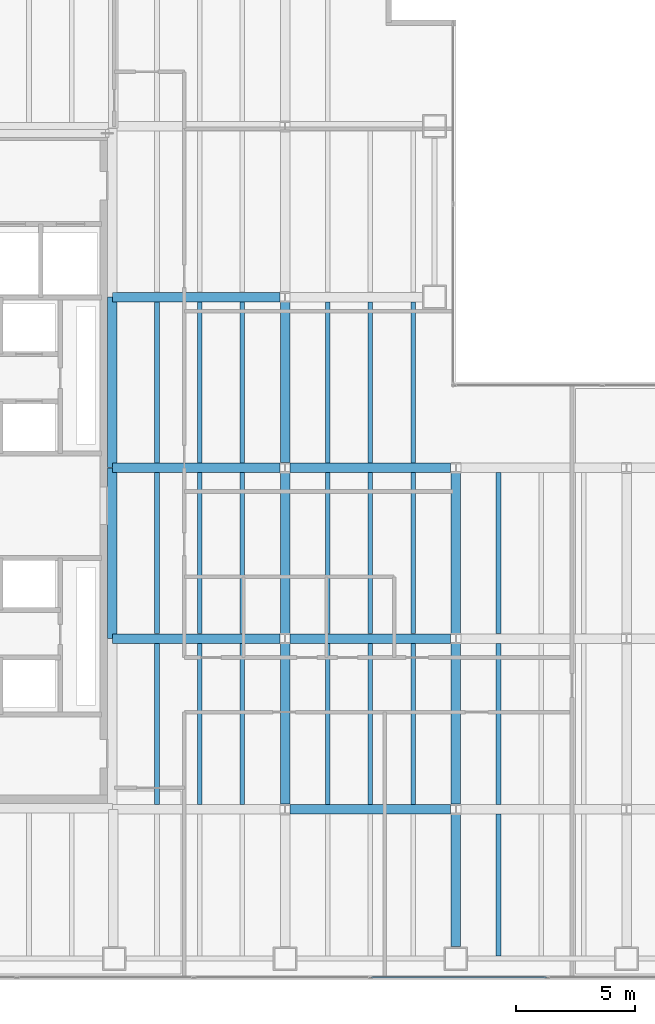
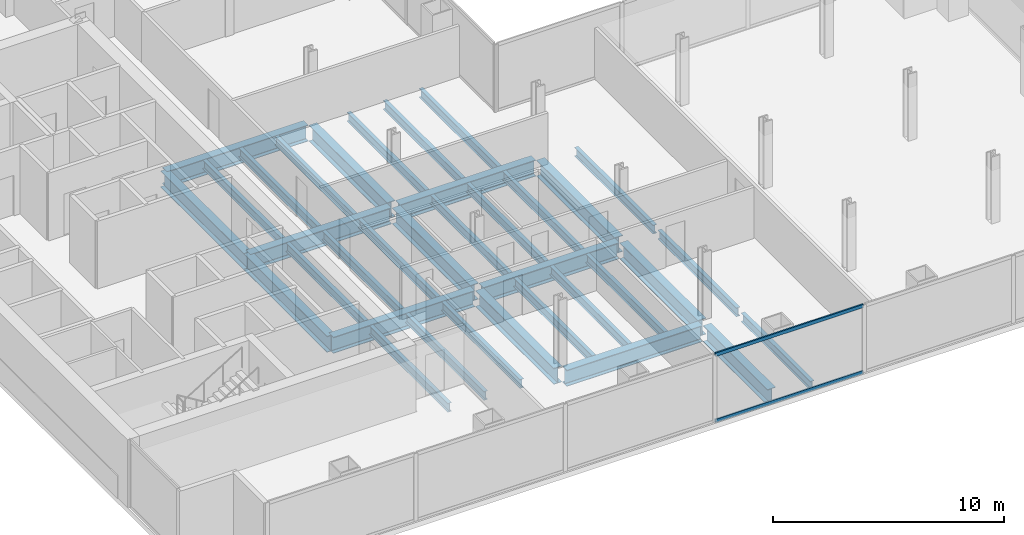
# One storey, part 5 of 25: 35 beams, 2 members, 1 element without a shape of its own.
"""IFC4 building model written with IfcOpenShell, lengths in metres."""

from ifc_helpers import new_model, si_unit, direction, frame, origin, origin_2d, place, context, subcontext, project, spatial, hollow_rectangle, i_section, extrude, material, material_profile, profile_set, type_object, element, aggregate, save


model = new_model("IFC4")

# Units and contexts
model_context = context("Model", 3, precision=1e-05, world=origin(), true_north=direction((0.0, 1.0)))
body_context = subcontext(model_context, "Body", "Model", "MODEL_VIEW")
ifc_project = project(units=[si_unit("LENGTHUNIT", "METRE"), si_unit("AREAUNIT", "SQUARE_METRE"), si_unit("VOLUMEUNIT", "CUBIC_METRE"), si_unit("PLANEANGLEUNIT", "RADIAN"), si_unit("MASSUNIT", "GRAM", prefix="KILO")], contexts=[model_context])

# Site, building, storey
site_placement = place(None, origin())
site = spatial("IfcSite", under=ifc_project, at=site_placement, CompositionType="ELEMENT")
building_placement = place(site_placement, origin())
building = spatial("IfcBuilding", under=site, at=building_placement, Name="Cobrela Telecom Tower", CompositionType="ELEMENT")
storey_placement = place(building_placement, frame((0.0, 0.0, 61.949951171875)))
storey = spatial("IfcBuildingStorey", under=building, at=storey_placement, Name="L15", CompositionType="ELEMENT", Elevation=61.949951171875)

# Beams
ifc_material_1 = material(Name="Steel ASTM A992 Grade 50", Category="steel")
ifc_material_profile_1 = material_profile(ifc_material_1, i_section(OverallWidth=0.39892578125, OverallDepth=0.85595703125, WebThickness=0.018310546875, FlangeThickness=0.029296875, FilletRadius=0.02001953125, at=origin_2d()), Name="W33X201")
ifc_profile_set_1 = profile_set([ifc_material_profile_1], Name="Steel ASTM A992 Grade 50")
beam_type_1 = type_object("IfcBeamType", Name="BM-GIRD-03", PredefinedType="USERDEFINED", material=ifc_profile_set_1)
beam_1_placement = place(storey_placement, frame((21.81591796875, 7.199951171875, -0.7080078125), z_axis=(1.0, 0.0, 0.0), x_axis=(0.0, 1.0, 0.0)))
element("IfcBeam", 1, at=beam_1_placement, inside=storey, type_object=beam_type_1, Name="L15 Primary Girder X09", ObjectType="GIRDER", PredefinedType="USERDEFINED", context=body_context, shape_type="SweptSolid", body=[
    extrude(i_section(OverallWidth=0.39892578125, OverallDepth=0.85595703125, WebThickness=0.018310546875, FlangeThickness=0.029296875, FilletRadius=0.02001953125, at=origin_2d()), origin(), (0.0, 0.0, 1.0), 6.76806640625),
])
beam_2_placement = place(storey_placement, frame((14.324951171875, 14.39990234375, -0.7080078125), z_axis=(1.0, 0.0, 0.0), x_axis=(0.0, 1.0, 0.0)))
element("IfcBeam", 2, at=beam_2_placement, inside=storey, type_object=beam_type_1, Name="L15 Primary Girder X13", ObjectType="GIRDER", PredefinedType="USERDEFINED", context=body_context, shape_type="SweptSolid", body=[
    extrude(i_section(OverallWidth=0.39892578125, OverallDepth=0.85595703125, WebThickness=0.018310546875, FlangeThickness=0.029296875, FilletRadius=0.02001953125, at=origin_2d()), origin(), (0.0, 0.0, 1.0), 7.05908203125),
])
beam_3_placement = place(storey_placement, frame((21.81591796875, 14.39990234375, -0.7080078125), z_axis=(1.0, 0.0, 0.0), x_axis=(0.0, 1.0, 0.0)))
element("IfcBeam", 3, at=beam_3_placement, inside=storey, type_object=beam_type_1, Name="L15 Primary Girder X14", ObjectType="GIRDER", PredefinedType="USERDEFINED", context=body_context, shape_type="SweptSolid", body=[
    extrude(i_section(OverallWidth=0.39892578125, OverallDepth=0.85595703125, WebThickness=0.018310546875, FlangeThickness=0.029296875, FilletRadius=0.02001953125, at=origin_2d()), origin(), (0.0, 0.0, 1.0), 6.76806640625),
])
beam_4_placement = place(storey_placement, frame((14.324951171875, 21.60009765625, -0.7080078125), z_axis=(1.0, 0.0, 0.0), x_axis=(0.0, 1.0, 0.0)))
element("IfcBeam", 4, at=beam_4_placement, inside=storey, type_object=beam_type_1, Name="L15 Primary Girder X18", ObjectType="GIRDER", PredefinedType="USERDEFINED", context=body_context, shape_type="SweptSolid", body=[
    extrude(i_section(OverallWidth=0.39892578125, OverallDepth=0.85595703125, WebThickness=0.018310546875, FlangeThickness=0.029296875, FilletRadius=0.02001953125, at=origin_2d()), origin(), (0.0, 0.0, 1.0), 7.05908203125),
])
beam_5_placement = place(storey_placement, frame((21.81591796875, 21.60009765625, -0.7080078125), z_axis=(1.0, 0.0, 0.0), x_axis=(0.0, 1.0, 0.0)))
element("IfcBeam", 5, at=beam_5_placement, inside=storey, type_object=beam_type_1, Name="L15 Primary Girder X19", ObjectType="GIRDER", PredefinedType="USERDEFINED", context=body_context, shape_type="SweptSolid", body=[
    extrude(i_section(OverallWidth=0.39892578125, OverallDepth=0.85595703125, WebThickness=0.018310546875, FlangeThickness=0.029296875, FilletRadius=0.02001953125, at=origin_2d()), origin(), (0.0, 0.0, 1.0), 6.76806640625),
])
beam_6_placement = place(storey_placement, frame((14.324951171875, 28.800048828125, -0.7080078125), z_axis=(1.0, 0.0, 0.0), x_axis=(0.0, 1.0, 0.0)))
element("IfcBeam", 6, at=beam_6_placement, inside=storey, type_object=beam_type_1, Name="L15 Primary Girder X23", ObjectType="GIRDER", PredefinedType="USERDEFINED", context=body_context, shape_type="SweptSolid", body=[
    extrude(i_section(OverallWidth=0.39892578125, OverallDepth=0.85595703125, WebThickness=0.018310546875, FlangeThickness=0.029296875, FilletRadius=0.02001953125, at=origin_2d()), origin(), (0.0, 0.0, 1.0), 7.05908203125),
])
for number, where, z_axis, x_axis, name in (
    (7, (14.320068359375, 14.405029296875, -0.7080078125), (0.0, 1.0, 0.0), (-1.0, 0.0, 0.0), "L15 Primary Girder Y36"),
    (8, (14.320068359375, 21.60498046875, -0.7080078125), (0.0, 1.0, 0.0), (-1.0, 0.0, 0.0), "L15 Primary Girder Y37"),
):
    element("IfcBeam", number, at=place(storey_placement, frame(where, z_axis=z_axis, x_axis=x_axis)), inside=storey, type_object=beam_type_1, Name=name, ObjectType="GIRDER", PredefinedType="USERDEFINED", context=body_context, shape_type="SweptSolid", body=[
        extrude(i_section(OverallWidth=0.39892578125, OverallDepth=0.85595703125, WebThickness=0.018310546875, FlangeThickness=0.029296875, FilletRadius=0.02001953125, at=origin_2d()), origin(), (0.0, 0.0, 1.0), 7.18994140625),
    ])
for number, where, z_axis, x_axis, name in (
    (9, (21.60009765625, 7.416015625, -0.7080078125), (0.0, 1.0, 0.0), (-1.0, 0.0, 0.0), "L15 Primary Girder Y41"),
    (10, (21.60009765625, 14.615966796875, -0.7080078125), (0.0, 1.0, 0.0), (-1.0, 0.0, 0.0), "L15 Primary Girder Y42"),
    (11, (21.60009765625, 21.81591796875, -0.7080078125), (0.0, 1.0, 0.0), (-1.0, 0.0, 0.0), "L15 Primary Girder Y43"),
):
    element("IfcBeam", number, at=place(storey_placement, frame(where, z_axis=z_axis, x_axis=x_axis)), inside=storey, type_object=beam_type_1, Name=name, ObjectType="GIRDER", PredefinedType="USERDEFINED", context=body_context, shape_type="SweptSolid", body=[
        extrude(i_section(OverallWidth=0.39892578125, OverallDepth=0.85595703125, WebThickness=0.018310546875, FlangeThickness=0.029296875, FilletRadius=0.02001953125, at=origin_2d()), origin(), (0.0, 0.0, 1.0), 6.76806640625),
    ])
beam_7_placement = place(storey_placement, frame((28.800048828125, 1.405029296875, -0.7080078125), z_axis=(0.0, 1.0, 0.0), x_axis=(-1.0, 0.0, 0.0)))
element("IfcBeam", 12, at=beam_7_placement, inside=storey, type_object=beam_type_1, Name="L15 Primary Girder Y47", ObjectType="GIRDER", PredefinedType="USERDEFINED", context=body_context, shape_type="SweptSolid", body=[
    extrude(i_section(OverallWidth=0.39892578125, OverallDepth=0.85595703125, WebThickness=0.018310546875, FlangeThickness=0.029296875, FilletRadius=0.02001953125, at=origin_2d()), origin(), (0.0, 0.0, 1.0), 5.578857421875),
])
for number, where, z_axis, x_axis, name in (
    (13, (28.800048828125, 7.416015625, -0.7080078125), (0.0, 1.0, 0.0), (-1.0, 0.0, 0.0), "L15 Primary Girder Y48"),
    (14, (28.800048828125, 14.615966796875, -0.7080078125), (0.0, 1.0, 0.0), (-1.0, 0.0, 0.0), "L15 Primary Girder Y49"),
):
    element("IfcBeam", number, at=place(storey_placement, frame(where, z_axis=z_axis, x_axis=x_axis)), inside=storey, type_object=beam_type_1, Name=name, ObjectType="GIRDER", PredefinedType="USERDEFINED", context=body_context, shape_type="SweptSolid", body=[
        extrude(i_section(OverallWidth=0.39892578125, OverallDepth=0.85595703125, WebThickness=0.018310546875, FlangeThickness=0.029296875, FilletRadius=0.02001953125, at=origin_2d()), origin(), (0.0, 0.0, 1.0), 6.76806640625),
    ])
ifc_material_profile_2 = material_profile(ifc_material_1, i_section(OverallWidth=0.193115234375, OverallDepth=0.467041015625, WebThickness=0.011474609375, FlangeThickness=0.01904296875, FilletRadius=0.012939453125, at=origin_2d()), Name="W18X65")
ifc_profile_set_2 = profile_set([ifc_material_profile_2], Name="Steel ASTM A992 Grade 50")
beam_type_2 = type_object("IfcBeamType", Name="BM-JOIST-03", PredefinedType="JOIST", material=ifc_profile_set_2)
for number, where, z_axis, x_axis, name in (
    (15, (16.199951171875, 7.404541015625, -0.513427734375), (0.0, 1.0, 0.0), (-1.0, 0.0, 0.0), "L15 Secondary Composite Floor Beam J08"),
    (16, (16.199951171875, 14.6044921875, -0.513427734375), (0.0, 1.0, 0.0), (-1.0, 0.0, 0.0), "L15 Secondary Composite Floor Beam J09"),
    (17, (16.199951171875, 21.804443359375, -0.513427734375), (0.0, 1.0, 0.0), (-1.0, 0.0, 0.0), "L15 Secondary Composite Floor Beam J10"),
    (18, (18.0, 7.404541015625, -0.513427734375), (0.0, 1.0, 0.0), (-1.0, 0.0, 0.0), "L15 Secondary Composite Floor Beam J14"),
    (19, (18.0, 14.6044921875, -0.513427734375), (0.0, 1.0, 0.0), (-1.0, 0.0, 0.0), "L15 Secondary Composite Floor Beam J15"),
    (20, (18.0, 21.804443359375, -0.513427734375), (0.0, 1.0, 0.0), (-1.0, 0.0, 0.0), "L15 Secondary Composite Floor Beam J16"),
    (21, (19.800048828125, 7.404541015625, -0.513427734375), (0.0, 1.0, 0.0), (-1.0, 0.0, 0.0), "L15 Secondary Composite Floor Beam J20"),
    (22, (19.800048828125, 14.6044921875, -0.513427734375), (0.0, 1.0, 0.0), (-1.0, 0.0, 0.0), "L15 Secondary Composite Floor Beam J21"),
    (23, (19.800048828125, 21.804443359375, -0.513427734375), (0.0, 1.0, 0.0), (-1.0, 0.0, 0.0), "L15 Secondary Composite Floor Beam J22"),
    (24, (23.39990234375, 7.404541015625, -0.513427734375), (0.0, 1.0, 0.0), (-1.0, 0.0, 0.0), "L15 Secondary Composite Floor Beam J26"),
    (25, (23.39990234375, 14.6044921875, -0.513427734375), (0.0, 1.0, 0.0), (-1.0, 0.0, 0.0), "L15 Secondary Composite Floor Beam J27"),
    (26, (23.39990234375, 21.804443359375, -0.513427734375), (0.0, 1.0, 0.0), (-1.0, 0.0, 0.0), "L15 Secondary Composite Floor Beam J28"),
    (27, (25.199951171875, 7.404541015625, -0.513427734375), (0.0, 1.0, 0.0), (-1.0, 0.0, 0.0), "L15 Secondary Composite Floor Beam J32"),
    (28, (25.199951171875, 14.6044921875, -0.513427734375), (0.0, 1.0, 0.0), (-1.0, 0.0, 0.0), "L15 Secondary Composite Floor Beam J33"),
    (29, (25.199951171875, 21.804443359375, -0.513427734375), (0.0, 1.0, 0.0), (-1.0, 0.0, 0.0), "L15 Secondary Composite Floor Beam J34"),
    (30, (27.0, 7.404541015625, -0.513427734375), (0.0, 1.0, 0.0), (-1.0, 0.0, 0.0), "L15 Secondary Composite Floor Beam J37"),
    (31, (27.0, 14.6044921875, -0.513427734375), (0.0, 1.0, 0.0), (-1.0, 0.0, 0.0), "L15 Secondary Composite Floor Beam J38"),
    (32, (27.0, 21.804443359375, -0.513427734375), (0.0, 1.0, 0.0), (-1.0, 0.0, 0.0), "L15 Secondary Composite Floor Beam J39"),
):
    element("IfcBeam", number, at=place(storey_placement, frame(where, z_axis=z_axis, x_axis=x_axis)), inside=storey, type_object=beam_type_2, Name=name, PredefinedType="JOIST", context=body_context, shape_type="SweptSolid", body=[
        extrude(i_section(OverallWidth=0.193115234375, OverallDepth=0.467041015625, WebThickness=0.011474609375, FlangeThickness=0.01904296875, FilletRadius=0.012939453125, at=origin_2d()), origin(), (0.0, 0.0, 1.0), 6.791015625),
    ])
beam_8_placement = place(storey_placement, frame((30.60009765625, 1.011474609375, -0.513427734375), z_axis=(0.0, 1.0, 0.0), x_axis=(-1.0, 0.0, 0.0)))
element("IfcBeam", 33, at=beam_8_placement, inside=storey, type_object=beam_type_2, Name="L15 Secondary Composite Floor Beam J41", PredefinedType="JOIST", context=body_context, shape_type="SweptSolid", body=[
    extrude(i_section(OverallWidth=0.193115234375, OverallDepth=0.467041015625, WebThickness=0.011474609375, FlangeThickness=0.01904296875, FilletRadius=0.012939453125, at=origin_2d()), origin(), (0.0, 0.0, 1.0), 5.984130859375),
])
for number, where, z_axis, x_axis, name in (
    (34, (30.60009765625, 7.404541015625, -0.513427734375), (0.0, 1.0, 0.0), (-1.0, 0.0, 0.0), "L15 Secondary Composite Floor Beam J42"),
    (35, (30.60009765625, 14.6044921875, -0.513427734375), (0.0, 1.0, 0.0), (-1.0, 0.0, 0.0), "L15 Secondary Composite Floor Beam J43"),
):
    element("IfcBeam", number, at=place(storey_placement, frame(where, z_axis=z_axis, x_axis=x_axis)), inside=storey, type_object=beam_type_2, Name=name, PredefinedType="JOIST", context=body_context, shape_type="SweptSolid", body=[
        extrude(i_section(OverallWidth=0.193115234375, OverallDepth=0.467041015625, WebThickness=0.011474609375, FlangeThickness=0.01904296875, FilletRadius=0.012939453125, at=origin_2d()), origin(), (0.0, 0.0, 1.0), 6.791015625),
    ])

# Curtain wall, members
ifc_material_2 = material(Name="Anodized Bronze Aluminium 6063-T6", Category="aluminium")
curtain_wall_type = type_object("IfcCurtainWallType", Name="CW-SYS-DATA", PredefinedType="USERDEFINED", material=ifc_material_2)
curtain_wall_placement = place(storey_placement, origin())
curtain_wall = element("IfcCurtainWall", 36, at=curtain_wall_placement, inside=storey, type_object=curtain_wall_type, Name="L15 Unitised Bronze Curtain Wall 17", ObjectType="UNITISED CURTAIN WALL", PredefinedType="USERDEFINED")
ifc_material_profile_3 = material_profile(ifc_material_2, hollow_rectangle(XDim=0.074951171875, YDim=0.179931640625, WallThickness=0.00390625, at=origin_2d()), Name="ALU 75x180x4")
ifc_profile_set_3 = profile_set([ifc_material_profile_3], Name="Anodized Bronze Aluminium 6063-T6")
member_type = type_object("IfcMemberType", Name="CW-SYS-DATA-TRN", PredefinedType="USERDEFINED", material=ifc_profile_set_3)
member_1_placement = place(storey_placement, frame((32.61669921875, 0.1201171875, 0.03759765625), z_axis=(-1.0, 0.0, 0.0), x_axis=(0.0, -1.0, 0.0)))
member_1 = element("IfcMember", 37, at=member_1_placement, type_object=member_type, Name="CW-DATA transom 3.1", ObjectType="TRANSOM", PredefinedType="USERDEFINED", context=body_context, shape_type="SweptSolid", body=[
    extrude(hollow_rectangle(XDim=0.074951171875, YDim=0.179931640625, WallThickness=0.00390625, at=origin_2d()), origin(), (0.0, 0.0, 1.0), 7.376708984375),
])
member_2_placement = place(storey_placement, frame((32.61669921875, 0.1201171875, 3.532470703125), z_axis=(-1.0, 0.0, 0.0), x_axis=(0.0, -1.0, 0.0)))
member_2 = element("IfcMember", 38, at=member_2_placement, type_object=member_type, Name="CW-DATA transom 3.2", ObjectType="TRANSOM", PredefinedType="USERDEFINED", context=body_context, shape_type="SweptSolid", body=[
    extrude(hollow_rectangle(XDim=0.074951171875, YDim=0.179931640625, WallThickness=0.00390625, at=origin_2d()), origin(), (0.0, 0.0, 1.0), 7.376708984375),
])
aggregate(curtain_wall, [member_1, member_2])

save(model, "model.ifc")
